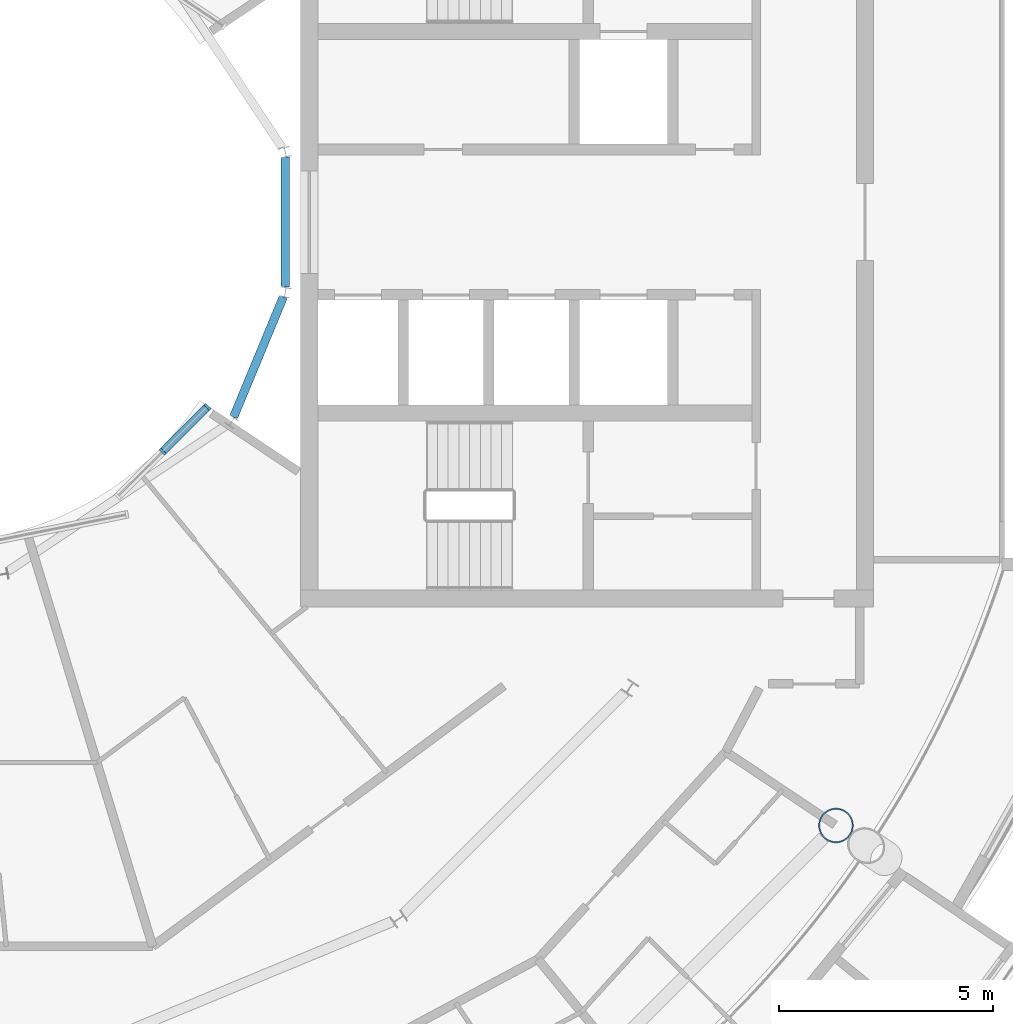
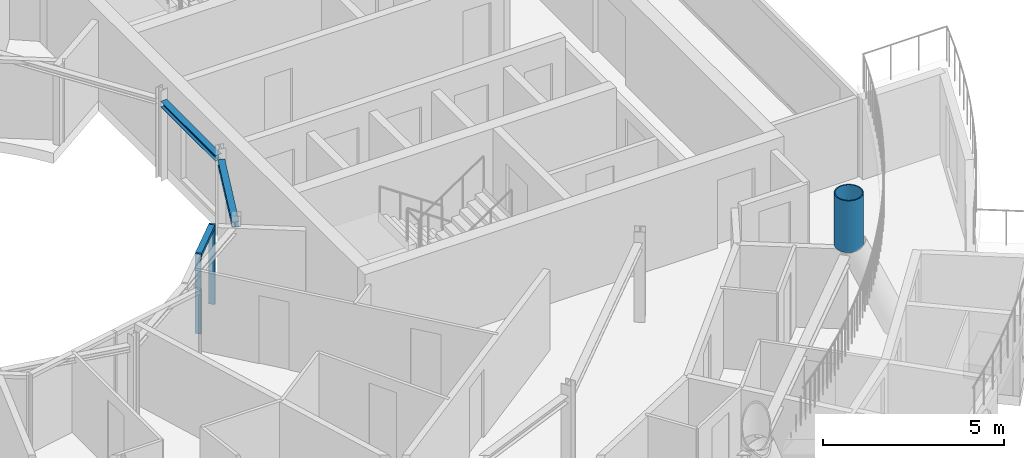
# One storey, part 8 of 29: 4 members, 2 beams, 1 element without a shape of its own.
"""IFC4 building model written with IfcOpenShell, lengths in metres."""

from ifc_helpers import new_model, si_unit, direction, frame, origin, origin_2d, place, context, subcontext, project, spatial, rectangle, hollow_circle, i_section, extrude, material, layer, layer_set, material_profile, profile_set, type_object, element, aggregate, save


model = new_model("IFC4")

# Units and contexts
model_context = context("Model", 3, precision=1e-05, world=origin(), true_north=direction((0.0, 1.0)))
body_context = subcontext(model_context, "Body", "Model", "MODEL_VIEW")
ifc_project = project(units=[si_unit("LENGTHUNIT", "METRE"), si_unit("AREAUNIT", "SQUARE_METRE"), si_unit("VOLUMEUNIT", "CUBIC_METRE"), si_unit("PLANEANGLEUNIT", "RADIAN"), si_unit("MASSUNIT", "GRAM", prefix="KILO")], contexts=[model_context])

# Site, building, storey
site_placement = place(None, origin())
site = spatial("IfcSite", under=ifc_project, at=site_placement, CompositionType="ELEMENT")
building_placement = place(site_placement, origin())
building = spatial("IfcBuilding", under=site, at=building_placement, Name="Maasbend Ring Residences", CompositionType="ELEMENT")
storey_placement = place(building_placement, frame((0.0, 0.0, 234.050048828125)))
storey = spatial("IfcBuildingStorey", under=building, at=storey_placement, Name="L67", CompositionType="ELEMENT", Elevation=234.050048828125)

# Curtain wall, members
ifc_material_1 = material(Name="Aluminium and clear glass", Category="aluminium")
ifc_layer = layer(ifc_material_1, 0.179931640625)
ifc_layer_set = layer_set([ifc_layer], Name="CW-W")
curtain_wall_type = type_object("IfcCurtainWallType", Name="CW-W", PredefinedType="NOTDEFINED", material=ifc_layer_set)
curtain_wall_placement = place(storey_placement, origin())
curtain_wall = element("IfcCurtainWall", 1, at=curtain_wall_placement, inside=storey, type_object=curtain_wall_type, Name="Well curtain wall S3", PredefinedType="NOTDEFINED")
ifc_material_2 = material(Name="Aluminium 6063-T6", Category="aluminium")
ifc_material_profile_1 = material_profile(ifc_material_2, rectangle(XDim=0.179931640625, YDim=0.06005859375, at=origin_2d()), Name="AL 180x60")
ifc_profile_set_1 = profile_set([ifc_material_profile_1], Name="Aluminium 6063-T6")
member_type_1 = type_object("IfcMemberType", Name="CWM-W", PredefinedType="MULLION", material=ifc_profile_set_1)
member_1_placement = place(storey_placement, frame((5.366943359375, -5.366943359375, 0.0), z_axis=(0.0, 0.0, 1.0), x_axis=(-0.707106781187, 0.707106781187, 0.0)))
member_1 = element("IfcMember", 2, at=member_1_placement, type_object=member_type_1, Name="Mullion well face", PredefinedType="MULLION", context=body_context, shape_type="SweptSolid", body=[
    extrude(rectangle(XDim=0.179931640625, YDim=0.06005859375, at=origin_2d()), origin(), (0.0, 0.0, 1.0), 2.699951171875),
])
member_2_placement = place(storey_placement, frame((6.413330078125, -4.320556640625, 0.0), z_axis=(0.0, 0.0, 1.0), x_axis=(-0.707106781187, 0.707106781187, 0.0)))
member_2 = element("IfcMember", 3, at=member_2_placement, type_object=member_type_1, Name="Mullion well face", PredefinedType="MULLION", context=body_context, shape_type="SweptSolid", body=[
    extrude(rectangle(XDim=0.179931640625, YDim=0.06005859375, at=origin_2d()), origin(), (0.0, 0.0, 1.0), 2.699951171875),
])
ifc_material_3 = material(Name="Aluminium 6063-T6", Category="aluminium")
ifc_material_profile_2 = material_profile(ifc_material_3, rectangle(XDim=0.179931640625, YDim=0.1201171875, at=origin_2d()), Name="AL 180x120")
ifc_profile_set_2 = profile_set([ifc_material_profile_2], Name="Aluminium 6063-T6")
member_type_2 = type_object("IfcMemberType", Name="CWT-W", PredefinedType="USERDEFINED", material=ifc_profile_set_2)
member_3_placement = place(storey_placement, frame((5.38818359375, -5.345703125, 2.639892578125), z_axis=(0.707106781187, 0.707106781187, 0.0), x_axis=(-0.707106781187, 0.707106781187, 0.0)))
member_3 = element("IfcMember", 4, at=member_3_placement, type_object=member_type_2, Name="Transom well face", ObjectType="TRANSOM", PredefinedType="USERDEFINED", context=body_context, shape_type="SweptSolid", body=[
    extrude(rectangle(XDim=0.179931640625, YDim=0.1201171875, at=origin_2d()), origin(), (0.0, 0.0, 1.0), 1.419677734375),
])
aggregate(curtain_wall, [member_1, member_2, member_3])

# Member
ifc_material_4 = material(Name="Steel S460NH", Category="steel")
ifc_material_profile_3 = material_profile(ifc_material_4, hollow_circle(Radius=0.406494140625, WallThickness=0.030029296875, at=origin_2d()), Name="Column node insert CHS 813x30")
ifc_profile_set_3 = profile_set([ifc_material_profile_3], Name="Steel S460NH")
member_type_3 = type_object("IfcMemberType", Name="Column node insert CHS 813x30", PredefinedType="POST", material=ifc_profile_set_3)
member_4_placement = place(storey_placement, frame((21.119384765625, -14.111572265625, 2.800048828125), z_axis=(0.0, 0.0, 1.0), x_axis=(1.0, 0.0, 0.0)))
element("IfcMember", 5, at=member_4_placement, inside=storey, type_object=member_type_3, Name="Column node insert R15", PredefinedType="POST", context=body_context, shape_type="SweptSolid", body=[
    extrude(hollow_circle(Radius=0.406494140625, WallThickness=0.030029296875, at=origin_2d()), origin(), (0.0, 0.0, 1.0), 1.75),
])

# Beams
ifc_material_5 = material(Name="Steel S355J2", Category="steel")
ifc_material_profile_4 = material_profile(ifc_material_5, i_section(OverallWidth=0.199951171875, OverallDepth=0.18994140625, WebThickness=0.006591796875, FlangeThickness=0.010009765625, FilletRadius=0.01806640625, at=origin_2d()), Name="HEA 200")
ifc_profile_set_4 = profile_set([ifc_material_profile_4], Name="Steel S355J2")
beam_type = type_object("IfcBeamType", Name="Well edge beam HEA 200", PredefinedType="BEAM", material=ifc_profile_set_4)
for number, where, z_axis, x_axis, name in (
    (6, (7.029296875, -4.55859375, 2.60498046875), (0.382609241817, 0.923910259753, 0.0), (-0.923910259753, 0.382609241817, 0.0), "Well edge beam"),
    (7, (8.238525390625, -1.521484375, 2.60498046875), (0.0, 1.0, 0.0), (-1.0, 0.0, 0.0), "Well edge beam"),
):
    element("IfcBeam", number, at=place(storey_placement, frame(where, z_axis=z_axis, x_axis=x_axis)), inside=storey, type_object=beam_type, Name=name, PredefinedType="BEAM", context=body_context, shape_type="SweptSolid", body=[
        extrude(i_section(OverallWidth=0.199951171875, OverallDepth=0.18994140625, WebThickness=0.006591796875, FlangeThickness=0.010009765625, FilletRadius=0.01806640625, at=origin_2d()), origin(), (0.0, 0.0, 1.0), 3.04296875),
    ])

save(model, "model.ifc")
